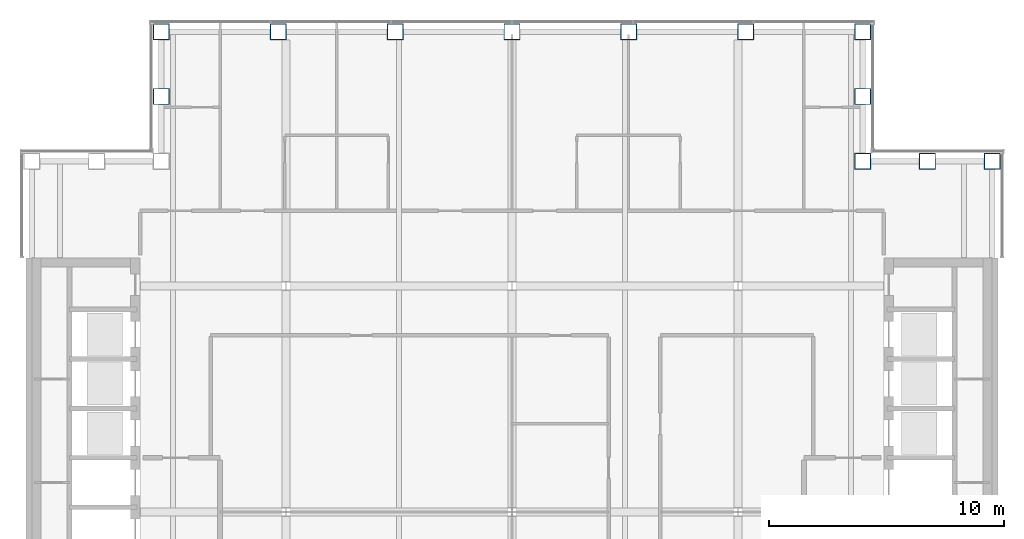
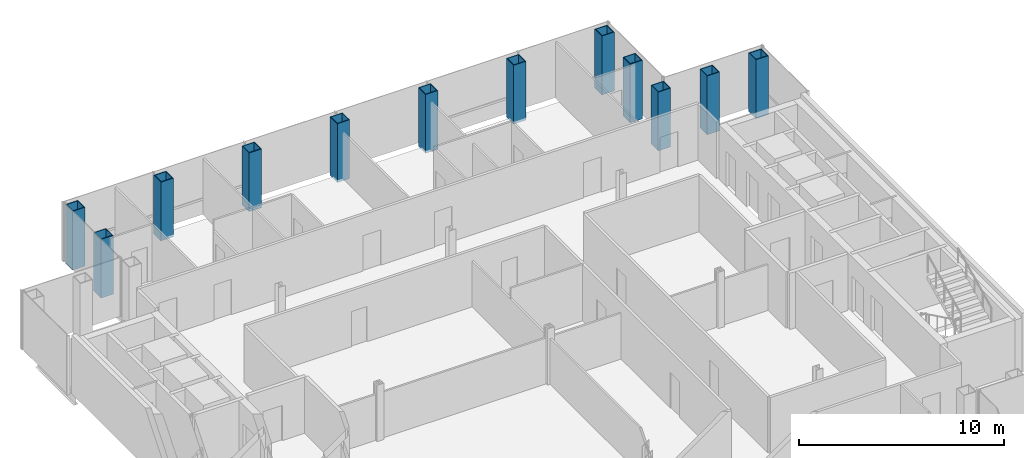
# One storey, part 2 of 15: 12 columns.
"""IFC4 building model written with IfcOpenShell, lengths in metres."""

from ifc_helpers import new_model, si_unit, direction, frame, origin, origin_2d, place, context, subcontext, project, spatial, hollow_rectangle, extrude, material, material_profile, profile_set, type_object, element, save


model = new_model("IFC4")

# Units and contexts
model_context = context("Model", 3, precision=1e-05, world=origin(), true_north=direction((0.0, 1.0)))
body_context = subcontext(model_context, "Body", "Model", "MODEL_VIEW")
ifc_project = project(units=[si_unit("LENGTHUNIT", "METRE"), si_unit("AREAUNIT", "SQUARE_METRE"), si_unit("VOLUMEUNIT", "CUBIC_METRE"), si_unit("PLANEANGLEUNIT", "RADIAN"), si_unit("MASSUNIT", "GRAM", prefix="KILO")], contexts=[model_context])

# Site, building, storey
site_placement = place(None, origin())
site = spatial("IfcSite", under=ifc_project, at=site_placement, CompositionType="ELEMENT")
building_placement = place(site_placement, origin())
building = spatial("IfcBuilding", under=site, at=building_placement, Name="Cobrizo Arcos Hotel Tower", CompositionType="ELEMENT")
storey_placement = place(building_placement, frame((0.0, 0.0, 201.5)))
storey = spatial("IfcBuildingStorey", under=building, at=storey_placement, Name="L52", CompositionType="ELEMENT", Elevation=201.5)

# Columns
ifc_material = material(Name="Steel ASTM A572 Grade 50", Category="steel")
ifc_material_profile = material_profile(ifc_material, hollow_rectangle(XDim=0.699951171875, YDim=0.699951171875, WallThickness=0.0400390625, at=origin_2d()), Name="BOX 700X700X40")
ifc_profile_set = profile_set([ifc_material_profile], Name="Steel ASTM A572 Grade 50")
column_type = type_object("IfcColumnType", Name="BOX 700X700X40 column", PredefinedType="COLUMN", material=ifc_profile_set)
for number, where, z_axis, x_axis, name in (
    (1, (-14.89990234375, 20.39990234375, -0.14990234375), (0.0, 0.0, 1.0), (1.0, 0.0, 0.0), "Perimeter column C10, L52, no. 00"),
    (2, (-9.93310546875, 20.39990234375, -0.14990234375), (0.0, 0.0, 1.0), (1.0, 0.0, 0.0), "Perimeter column C10, L52, no. 02"),
    (3, (-4.967041015625, 20.39990234375, -0.14990234375), (0.0, 0.0, 1.0), (1.0, 0.0, 0.0), "Perimeter column C10, L52, no. 04"),
    (4, (0.0, 20.39990234375, -0.14990234375), (0.0, 0.0, 1.0), (1.0, 0.0, 0.0), "Perimeter column C10, L52, no. 06"),
    (5, (4.967041015625, 20.39990234375, -0.14990234375), (0.0, 0.0, 1.0), (1.0, 0.0, 0.0), "Perimeter column C10, L52, no. 08"),
    (6, (9.93310546875, 20.39990234375, -0.14990234375), (0.0, 0.0, 1.0), (1.0, 0.0, 0.0), "Perimeter column C10, L52, no. 10"),
    (7, (14.89990234375, 20.39990234375, -0.14990234375), (0.0, 0.0, 1.0), (1.0, 0.0, 0.0), "Perimeter column C10, L52, no. 12"),
    (8, (20.39990234375, 14.89990234375, -0.14990234375), (0.0, 0.0, 1.0), (1.0, 0.0, 0.0), "Perimeter column C10, L52, no. 16"),
    (9, (-14.89990234375, 17.64990234375, -0.14990234375), (0.0, 0.0, 1.0), (1.0, 0.0, 0.0), "Perimeter column C10, L52, no. 22"),
    (10, (14.89990234375, 14.89990234375, -0.14990234375), (0.0, 0.0, 1.0), (1.0, 0.0, 0.0), "Perimeter column C10, L52, no. 27"),
    (11, (14.89990234375, 17.64990234375, -0.14990234375), (0.0, 0.0, 1.0), (1.0, 0.0, 0.0), "Perimeter column C10, L52, no. 28"),
    (12, (17.64990234375, 14.89990234375, -0.14990234375), (0.0, 0.0, 1.0), (1.0, 0.0, 0.0), "Perimeter column C10, L52, no. 29"),
):
    element("IfcColumn", number, at=place(storey_placement, frame(where, z_axis=z_axis, x_axis=x_axis)), inside=storey, type_object=column_type, Name=name, PredefinedType="COLUMN", context=body_context, shape_type="SweptSolid", body=[
        extrude(hollow_rectangle(XDim=0.699951171875, YDim=0.699951171875, WallThickness=0.0400390625, at=origin_2d()), origin(), (0.0, 0.0, 1.0), 3.5),
    ])

save(model, "model.ifc")
